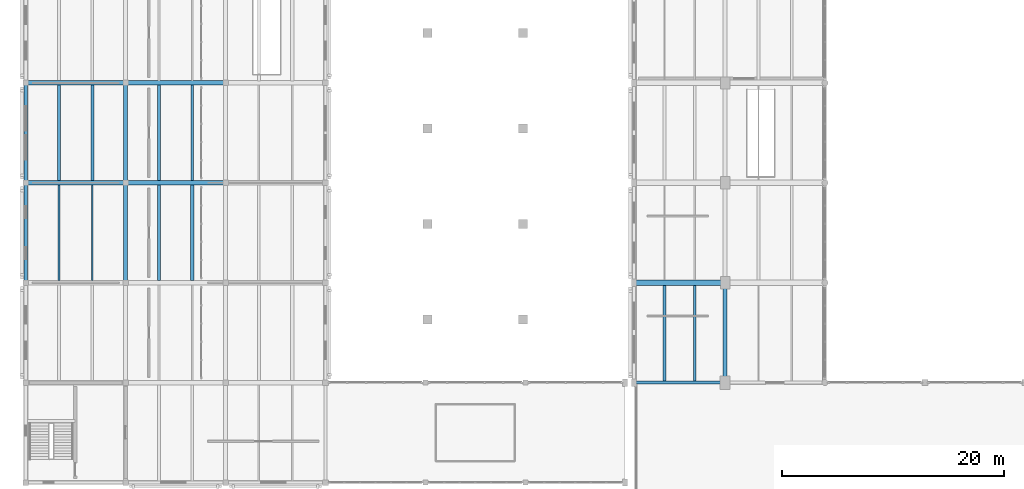
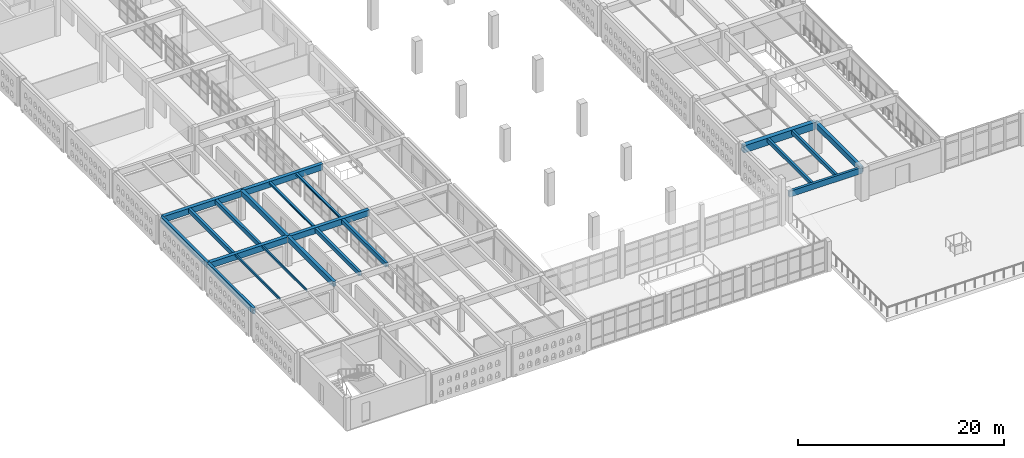
# One storey, part 14 of 156: 21 beams.
"""IFC4 building model written with IfcOpenShell, lengths in metres."""

from ifc_helpers import new_model, si_unit, direction, frame, origin, origin_2d, place, context, subcontext, project, spatial, rectangle, hollow_rectangle, i_section, extrude, material, material_profile, profile_set, type_object, element, save


model = new_model("IFC4")

# Units and contexts
model_context = context("Model", 3, precision=1e-05, world=origin(), true_north=direction((0.0, 1.0)))
body_context = subcontext(model_context, "Body", "Model", "MODEL_VIEW")
ifc_project = project(units=[si_unit("LENGTHUNIT", "METRE"), si_unit("AREAUNIT", "SQUARE_METRE"), si_unit("VOLUMEUNIT", "CUBIC_METRE"), si_unit("PLANEANGLEUNIT", "RADIAN"), si_unit("MASSUNIT", "GRAM", prefix="KILO")], contexts=[model_context])

# Site, building, storey
site_placement = place(None, origin())
site = spatial("IfcSite", under=ifc_project, at=site_placement, CompositionType="ELEMENT")
building_placement = place(site_placement, origin())
building = spatial("IfcBuilding", under=site, at=building_placement, Name="Ornek Quay Market", CompositionType="ELEMENT")
storey_placement = place(building_placement, frame((0.0, 0.0, 4.5)))
storey = spatial("IfcBuildingStorey", under=building, at=storey_placement, Name="L01", CompositionType="ELEMENT", Elevation=4.5)

# Beams
ifc_material_1 = material(Name="Concrete C35/45", Category="concrete")
ifc_material_profile_1 = material_profile(ifc_material_1, rectangle(XDim=0.35009765625, YDim=0.64990234375, at=origin_2d()), Name="RC 350x650", Category="concrete")
ifc_profile_set_1 = profile_set([ifc_material_profile_1], Name="Concrete C35/45")
beam_type_1 = type_object("IfcBeamType", Name="BM-CONC-350x650", PredefinedType="BEAM", material=ifc_profile_set_1)
beam_1_placement = place(storey_placement, frame((63.0, 29.0, 3.3349609375), z_axis=(0.0, 1.0, 0.0), x_axis=(-1.0, 0.0, 0.0)))
element("IfcBeam", 1, at=beam_1_placement, inside=storey, type_object=beam_type_1, Name="Primary beam B-CN1-113", PredefinedType="BEAM", context=body_context, shape_type="SweptSolid", body=[
    extrude(rectangle(XDim=0.35009765625, YDim=0.64990234375, at=origin_2d()), origin(), (0.0, 0.0, 1.0), 9.0),
])
ifc_material_2 = material(Name="Concrete C40/50", Category="concrete")
ifc_material_profile_2 = material_profile(ifc_material_2, rectangle(XDim=0.5, YDim=0.85009765625, at=origin_2d()), Name="RC 500x850", Category="concrete")
ifc_profile_set_2 = profile_set([ifc_material_profile_2], Name="Concrete C40/50")
beam_type_2 = type_object("IfcBeamType", Name="BM-GAL-500x850", PredefinedType="BEAM", material=ifc_profile_set_2)
beam_2_placement = place(storey_placement, frame((54.800048828125, 38.0, 3.235107421875), z_axis=(1.0, 0.0, 0.0), x_axis=(0.0, 1.0, 0.0)))
element("IfcBeam", 2, at=beam_2_placement, inside=storey, type_object=beam_type_2, Name="Primary beam B-GL1-065", PredefinedType="BEAM", context=body_context, shape_type="SweptSolid", body=[
    extrude(rectangle(XDim=0.5, YDim=0.85009765625, at=origin_2d()), origin(), (0.0, 0.0, 1.0), 8.199951171875),
])
ifc_material_profile_3 = material_profile(ifc_material_1, rectangle(XDim=0.35009765625, YDim=0.60009765625, at=origin_2d()), Name="RC 350x600", Category="concrete")
ifc_profile_set_3 = profile_set([ifc_material_profile_3], Name="Concrete C35/45")
beam_type_3 = type_object("IfcBeamType", Name="BM-RF-350x600", PredefinedType="BEAM", material=ifc_profile_set_3)
for number, where, z_axis, x_axis, name in (
    (3, (9.0, 38.0, 3.179931640625), (0.0, 1.0, 0.0), (-1.0, 0.0, 0.0), "Primary beam B-RF1-003"),
    (4, (9.0, 47.0, 3.179931640625), (0.0, 1.0, 0.0), (-1.0, 0.0, 0.0), "Primary beam B-RF1-004"),
):
    element("IfcBeam", number, at=place(storey_placement, frame(where, z_axis=z_axis, x_axis=x_axis)), inside=storey, type_object=beam_type_3, Name=name, PredefinedType="BEAM", context=body_context, shape_type="SweptSolid", body=[
        extrude(rectangle(XDim=0.35009765625, YDim=0.60009765625, at=origin_2d()), origin(), (0.0, 0.0, 1.0), 9.0),
    ])
ifc_material_3 = material(Name="Steel S355", Category="steel")
ifc_material_profile_4 = material_profile(ifc_material_3, hollow_rectangle(XDim=0.14990234375, YDim=0.25, WallThickness=0.010009765625, at=origin_2d()), Name="RHS 250x150x10", Category="steel")
ifc_profile_set_4 = profile_set([ifc_material_profile_4], Name="Steel S355")
beam_type_4 = type_object("IfcBeamType", Name="BM-RHS-RHS250x150x10", PredefinedType="BEAM", material=ifc_profile_set_4)
for number, where, z_axis, x_axis, name in (
    (5, (3.0, 38.19189453125, 3.35498046875), (0.0, 1.0, 0.0), (-1.0, 0.0, 0.0), "Secondary joist SR-05-001"),
    (6, (6.0, 38.19189453125, 3.35498046875), (0.0, 1.0, 0.0), (-1.0, 0.0, 0.0), "Secondary joist SR-05-002"),
):
    element("IfcBeam", number, at=place(storey_placement, frame(where, z_axis=z_axis, x_axis=x_axis)), inside=storey, type_object=beam_type_4, Name=name, PredefinedType="BEAM", context=body_context, shape_type="SweptSolid", body=[
        extrude(hollow_rectangle(XDim=0.14990234375, YDim=0.25, WallThickness=0.010009765625, at=origin_2d()), origin(), (0.0, 0.0, 1.0), 8.6162109375),
    ])
ifc_material_profile_5 = material_profile(ifc_material_1, rectangle(XDim=0.25, YDim=0.449951171875, at=origin_2d()), Name="RC 250x450", Category="concrete")
ifc_profile_set_5 = profile_set([ifc_material_profile_5], Name="Concrete C35/45")
beam_type_5 = type_object("IfcBeamType", Name="BM-SEC-250x450", PredefinedType="JOIST", material=ifc_profile_set_5)
for number, where, z_axis, x_axis, name in (
    (7, (57.533203125, 29.132080078125, 3.43505859375), (0.0, 1.0, 0.0), (-1.0, 0.0, 0.0), "Secondary joist B-SC3-009"),
    (8, (60.2666015625, 29.132080078125, 3.43505859375), (0.0, 1.0, 0.0), (-1.0, 0.0, 0.0), "Secondary joist B-SC3-010"),
):
    element("IfcBeam", number, at=place(storey_placement, frame(where, z_axis=z_axis, x_axis=x_axis)), inside=storey, type_object=beam_type_5, Name=name, PredefinedType="JOIST", context=body_context, shape_type="SweptSolid", body=[
        extrude(rectangle(XDim=0.25, YDim=0.449951171875, at=origin_2d()), origin(), (0.0, 0.0, 1.0), 8.6259765625),
    ])
ifc_material_profile_6 = material_profile(ifc_material_1, rectangle(XDim=0.280029296875, YDim=0.5, at=origin_2d()), Name="RC 280x500", Category="concrete")
ifc_profile_set_6 = profile_set([ifc_material_profile_6], Name="Concrete C35/45")
beam_type_6 = type_object("IfcBeamType", Name="BM-SEC-280x500", PredefinedType="JOIST", material=ifc_profile_set_6)
for number, where, z_axis, x_axis, name in (
    (9, (3.0, 47.19189453125, 3.22998046875), (0.0, 1.0, 0.0), (-1.0, 0.0, 0.0), "Secondary joist B-SC2-031"),
    (10, (6.0, 47.19189453125, 3.22998046875), (0.0, 1.0, 0.0), (-1.0, 0.0, 0.0), "Secondary joist B-SC2-032"),
    (11, (12.0, 38.19189453125, 3.22998046875), (0.0, 1.0, 0.0), (-1.0, 0.0, 0.0), "Secondary joist B-SC2-033"),
    (12, (15.0, 38.19189453125, 3.22998046875), (0.0, 1.0, 0.0), (-1.0, 0.0, 0.0), "Secondary joist B-SC2-034"),
):
    element("IfcBeam", number, at=place(storey_placement, frame(where, z_axis=z_axis, x_axis=x_axis)), inside=storey, type_object=beam_type_6, Name=name, PredefinedType="JOIST", context=body_context, shape_type="SweptSolid", body=[
        extrude(rectangle(XDim=0.280029296875, YDim=0.5, at=origin_2d()), origin(), (0.0, 0.0, 1.0), 8.6162109375),
    ])
ifc_material_profile_7 = material_profile(ifc_material_1, rectangle(XDim=0.280029296875, YDim=0.699951171875, at=origin_2d()), Name="RC 280x700", Category="concrete")
ifc_profile_set_7 = profile_set([ifc_material_profile_7], Name="Concrete C35/45")
beam_type_7 = type_object("IfcBeamType", Name="BM-SPN-280x700", PredefinedType="SPANDREL", material=ifc_profile_set_7)
for number, where, z_axis, x_axis, name in (
    (13, (0.0, 38.0, 3.1298828125), (0.0, 1.0, 0.0), (-1.0, 0.0, 0.0), "Primary beam B-SP2-009"),
    (14, (0.0, 47.0, 3.1298828125), (0.0, 1.0, 0.0), (-1.0, 0.0, 0.0), "Primary beam B-SP2-010"),
):
    element("IfcBeam", number, at=place(storey_placement, frame(where, z_axis=z_axis, x_axis=x_axis)), inside=storey, type_object=beam_type_7, Name=name, PredefinedType="SPANDREL", context=body_context, shape_type="SweptSolid", body=[
        extrude(rectangle(XDim=0.280029296875, YDim=0.699951171875, at=origin_2d()), origin(), (0.0, 0.0, 1.0), 9.0),
    ])
beam_3_placement = place(storey_placement, frame((54.800048828125, 29.0, 3.31005859375), z_axis=(1.0, 0.0, 0.0), x_axis=(0.0, 1.0, 0.0)))
element("IfcBeam", 15, at=beam_3_placement, inside=storey, type_object=beam_type_7, Name="Primary beam B-SP2-049", PredefinedType="SPANDREL", context=body_context, shape_type="SweptSolid", body=[
    extrude(rectangle(XDim=0.280029296875, YDim=0.699951171875, at=origin_2d()), origin(), (0.0, 0.0, 1.0), 8.199951171875),
])
ifc_material_profile_8 = material_profile(ifc_material_3, i_section(OverallWidth=0.239990234375, OverallDepth=0.22998046875, WebThickness=0.007568359375, FlangeThickness=0.011962890625, FilletRadius=0.02099609375, at=origin_2d()), Name="HEA 240", Category="steel")
ifc_profile_set_8 = profile_set([ifc_material_profile_8], Name="Steel S355")
beam_type_8 = type_object("IfcBeamType", Name="BM-STL-HEA240", PredefinedType="BEAM", material=ifc_profile_set_8)
for number, where, z_axis, x_axis, name in (
    (16, (12.0, 47.19189453125, 3.364990234375), (0.0, 1.0, 0.0), (-1.0, 0.0, 0.0), "Secondary joist SB-14-007"),
    (17, (15.0, 47.19189453125, 3.364990234375), (0.0, 1.0, 0.0), (-1.0, 0.0, 0.0), "Secondary joist SB-14-008"),
):
    element("IfcBeam", number, at=place(storey_placement, frame(where, z_axis=z_axis, x_axis=x_axis)), inside=storey, type_object=beam_type_8, Name=name, PredefinedType="BEAM", context=body_context, shape_type="SweptSolid", body=[
        extrude(i_section(OverallWidth=0.239990234375, OverallDepth=0.22998046875, WebThickness=0.007568359375, FlangeThickness=0.011962890625, FilletRadius=0.02099609375, at=origin_2d()), origin(), (0.0, 0.0, 1.0), 8.6162109375),
    ])
ifc_material_profile_9 = material_profile(ifc_material_1, rectangle(XDim=0.39990234375, YDim=0.699951171875, at=origin_2d()), Name="RC 400x700", Category="concrete")
ifc_profile_set_9 = profile_set([ifc_material_profile_9], Name="Concrete C35/45")
beam_type_9 = type_object("IfcBeamType", Name="BM-WW-400x700", PredefinedType="BEAM", material=ifc_profile_set_9)
for number, where, z_axis, x_axis, name in (
    (18, (0.0, 47.0, 3.1298828125), (1.0, 0.0, 0.0), (0.0, 1.0, 0.0), "Primary beam B-WW1-054"),
    (19, (9.0, 47.0, 3.1298828125), (1.0, 0.0, 0.0), (0.0, 1.0, 0.0), "Primary beam B-WW1-055"),
    (20, (0.0, 56.0, 3.1298828125), (1.0, 0.0, 0.0), (0.0, 1.0, 0.0), "Primary beam B-WW1-057"),
    (21, (9.0, 56.0, 3.1298828125), (1.0, 0.0, 0.0), (0.0, 1.0, 0.0), "Primary beam B-WW1-058"),
):
    element("IfcBeam", number, at=place(storey_placement, frame(where, z_axis=z_axis, x_axis=x_axis)), inside=storey, type_object=beam_type_9, Name=name, PredefinedType="BEAM", context=body_context, shape_type="SweptSolid", body=[
        extrude(rectangle(XDim=0.39990234375, YDim=0.699951171875, at=origin_2d()), origin(), (0.0, 0.0, 1.0), 9.0),
    ])

save(model, "model.ifc")
